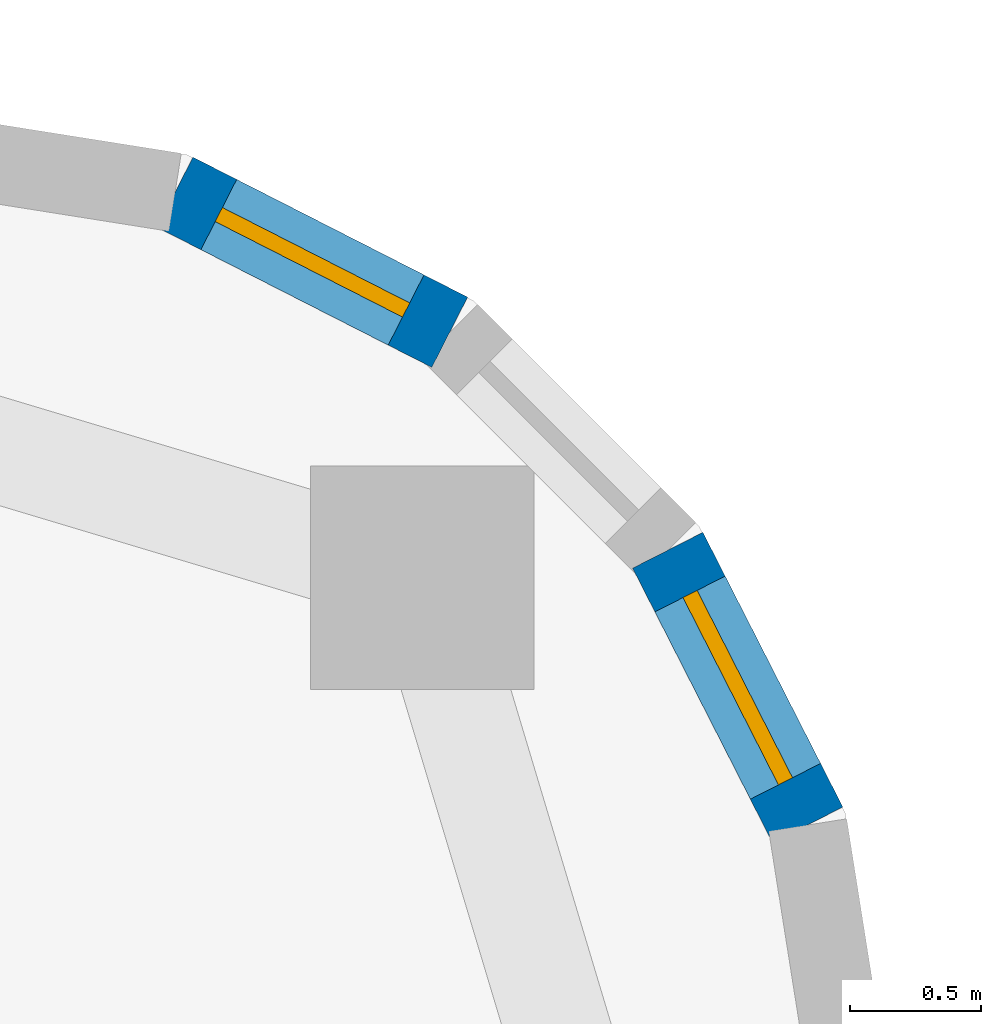
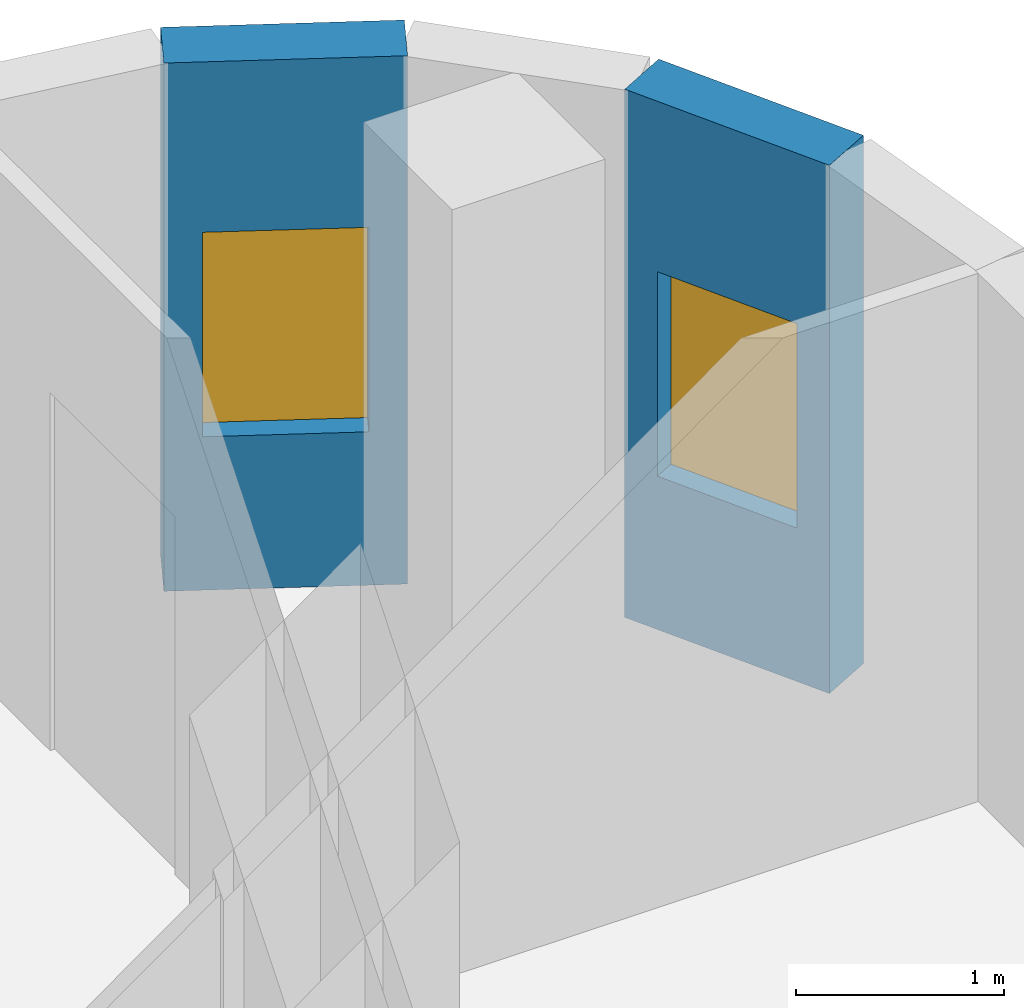
# One storey, part 10 of 14: 2 walls, 2 windows, 2 openings.
"""IFC4 building model written with IfcOpenShell, lengths in metres."""

from ifc_helpers import new_model, si_unit, direction, frame, frame_2d, origin, place, context, subcontext, project, spatial, rectangle, extrude, material, layer, layer_set, type_object, element, fill, save


model = new_model("IFC4")

# Units and contexts
model_context = context("Model", 3, precision=1e-05, world=origin(), true_north=direction((0.0, 1.0)))
body_context = subcontext(model_context, "Body", "Model", "MODEL_VIEW")
ifc_project = project(units=[si_unit("LENGTHUNIT", "METRE"), si_unit("AREAUNIT", "SQUARE_METRE"), si_unit("VOLUMEUNIT", "CUBIC_METRE"), si_unit("PLANEANGLEUNIT", "RADIAN"), si_unit("MASSUNIT", "GRAM", prefix="KILO")], contexts=[model_context])

# Site, building, storey
site_placement = place(None, origin())
site = spatial("IfcSite", under=ifc_project, at=site_placement, CompositionType="ELEMENT")
building_placement = place(site_placement, origin())
building = spatial("IfcBuilding", under=site, at=building_placement, Name="Ludao Terraces", CompositionType="ELEMENT")
storey_placement = place(building_placement, frame((0.0, 0.0, 113.5)))
storey = spatial("IfcBuildingStorey", under=building, at=storey_placement, Name="L31", CompositionType="ELEMENT", Elevation=113.5)

# Wall, opening, window
ifc_material_1 = material(Name="Granite cladding", Category="masonry")
ifc_layer_1 = layer(ifc_material_1, 0.0400390625, Category="stone")
ifc_material_2 = material(Name="Mineral wool")
ifc_layer_2 = layer(ifc_material_2, 0.06005859375)
ifc_material_3 = material(Name="Concrete C40", Category="concrete")
ifc_layer_3 = layer(ifc_material_3, 0.199951171875, Category="concrete")
ifc_layer_set_1 = layer_set([ifc_layer_1, ifc_layer_2, ifc_layer_3], Name="ENV Stone-clad wall 300")
wall_type = type_object("IfcWallType", Name="ENV Stone-clad wall 300", PredefinedType="SOLIDWALL", material=ifc_layer_set_1)
wall_1_placement = place(storey_placement, frame((104.16650390625, 81.7587890625, 0.0), z_axis=(0.0, 0.0, 1.0), x_axis=(-0.454025524128, 0.890988677504, 0.0)))
wall_1 = element("IfcWall", 1, at=wall_1_placement, inside=storey, type_object=wall_type, Name="EW-L31-NE2", PredefinedType="SOLIDWALL", context=body_context, shape_type="SweptSolid", body=[
    extrude(rectangle(XDim=1.17333984375, YDim=0.300048828125, at=frame_2d((0.586669921875, 0.0))), origin(), (0.0, 0.0, 1.0), 3.10009765625),
])
opening_1_placement = place(wall_1_placement, frame((0.1865234375, 0.0, 0.89990234375)))
opening_1 = element("IfcOpeningElement", 2, at=opening_1_placement, cuts=wall_1, Name="Opening W3", PredefinedType="OPENING", context=body_context, shape_type="SweptSolid", body=[
    extrude(rectangle(XDim=0.800048828125, YDim=1.199951171875, at=frame_2d((0.39990234375, 0.60009765625))), frame((0.0, 0.16015625, 0.0), z_axis=(0.0, -1.0, 0.0), x_axis=(1.0, 0.0, 0.0)), (0.0, 0.0, 1.0), 0.320068359375),
])
ifc_material_4 = material(Name="Clear glass in aluminium frame", Category="aluminium")
ifc_layer_4 = layer(ifc_material_4, 0.06005859375)
ifc_layer_set_2 = layer_set([ifc_layer_4], Name="ENV Window W3 800x1200")
window_type = type_object("IfcWindowType", Name="ENV Window W3 800x1200", PartitioningType="SINGLE_PANEL", PredefinedType="WINDOW", material=ifc_layer_set_2)
window_1_placement = place(opening_1_placement, origin())
window_1 = element("IfcWindow", 3, at=window_1_placement, inside=storey, type_object=window_type, Name="W-L31-NE2", OverallHeight=1.199951171875, OverallWidth=0.800048828125, PartitioningType="SINGLE_PANEL", PredefinedType="WINDOW", context=body_context, shape_type="SweptSolid", body=[
    extrude(rectangle(XDim=0.800048828125, YDim=1.199951171875, at=frame_2d((0.39990234375, 0.60009765625))), frame((0.0, 0.030029296875, 0.0), z_axis=(0.0, -1.0, 0.0), x_axis=(1.0, 0.0, 0.0)), (0.0, 0.0, 1.0), 0.06005859375),
])
fill(opening_1, window_1)

wall_2_placement = place(storey_placement, frame((102.80419921875, 83.6337890625, 0.0), z_axis=(0.0, 0.0, 1.0), x_axis=(-0.890988677504, 0.454025524128, 0.0)))
wall_2 = element("IfcWall", 4, at=wall_2_placement, inside=storey, type_object=wall_type, Name="EW-L31-NE4", PredefinedType="SOLIDWALL", context=body_context, shape_type="SweptSolid", body=[
    extrude(rectangle(XDim=1.17333984375, YDim=0.300048828125, at=frame_2d((0.586669921875, 0.0))), origin(), (0.0, 0.0, 1.0), 3.10009765625),
])
opening_2_placement = place(wall_2_placement, frame((0.1865234375, 0.0, 0.89990234375)))
opening_2 = element("IfcOpeningElement", 5, at=opening_2_placement, cuts=wall_2, Name="Opening W3", PredefinedType="OPENING", context=body_context, shape_type="SweptSolid", body=[
    extrude(rectangle(XDim=0.800048828125, YDim=1.199951171875, at=frame_2d((0.39990234375, 0.60009765625))), frame((0.0, 0.16015625, 0.0), z_axis=(0.0, -1.0, 0.0), x_axis=(1.0, 0.0, 0.0)), (0.0, 0.0, 1.0), 0.320068359375),
])
window_2_placement = place(opening_2_placement, origin())
window_2 = element("IfcWindow", 6, at=window_2_placement, inside=storey, type_object=window_type, Name="W-L31-NE4", OverallHeight=1.199951171875, OverallWidth=0.800048828125, PartitioningType="SINGLE_PANEL", PredefinedType="WINDOW", context=body_context, shape_type="SweptSolid", body=[
    extrude(rectangle(XDim=0.800048828125, YDim=1.199951171875, at=frame_2d((0.39990234375, 0.60009765625))), frame((0.0, 0.030029296875, 0.0), z_axis=(0.0, -1.0, 0.0), x_axis=(1.0, 0.0, 0.0)), (0.0, 0.0, 1.0), 0.06005859375),
])
fill(opening_2, window_2)

save(model, "model.ifc")
